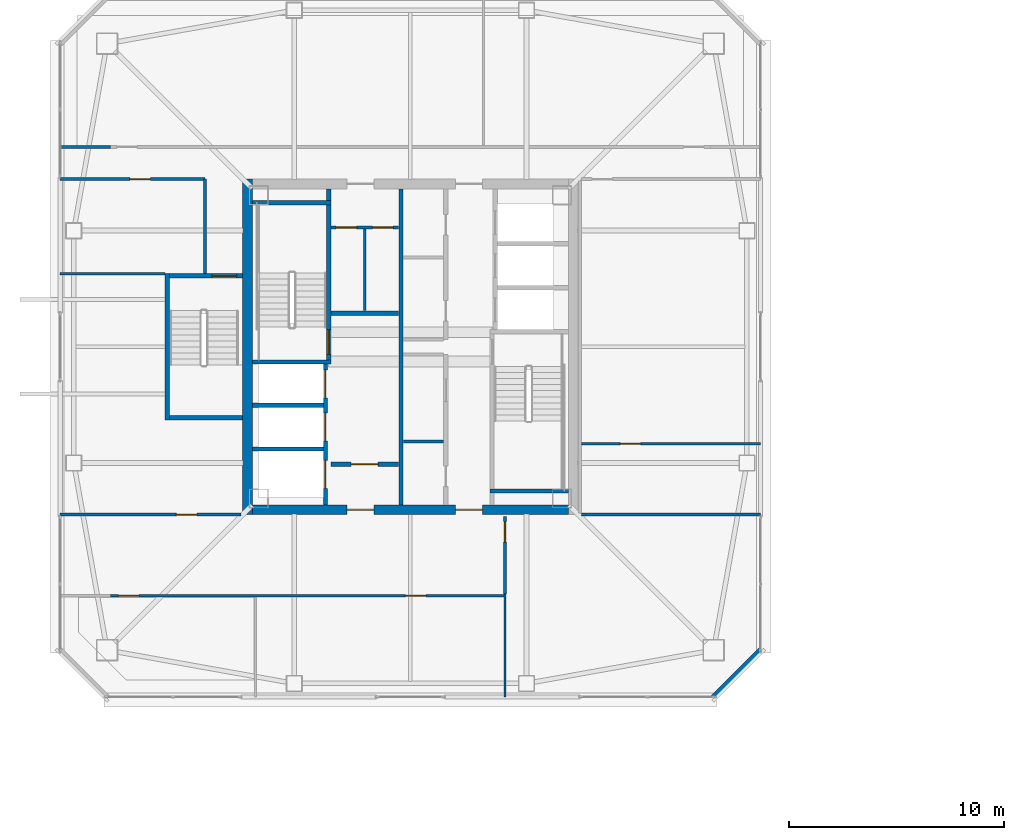
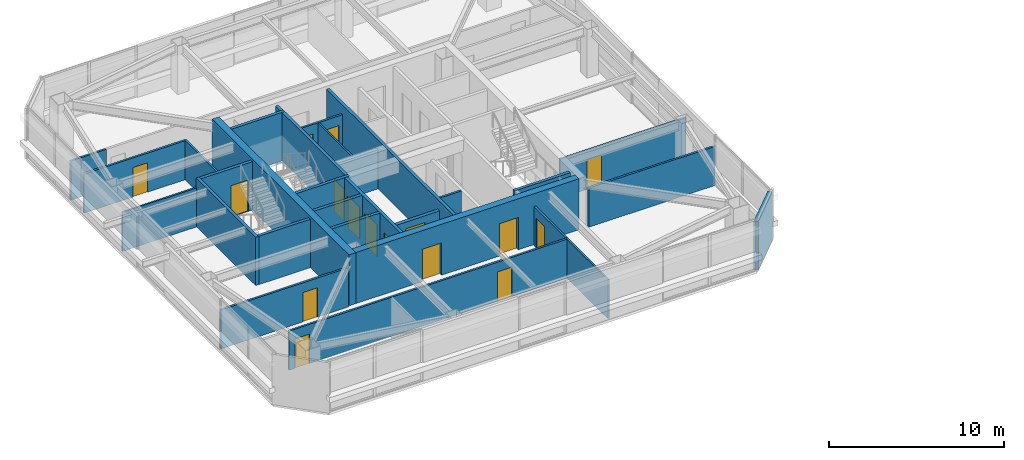
# One storey, part 34 of 44: 29 walls, 16 doors, 16 openings.
"""IFC4 building model written with IfcOpenShell, lengths in metres."""

from ifc_helpers import new_model, si_unit, direction, frame, frame_2d, origin, place, context, subcontext, project, spatial, rectangle, extrude, material, layer, layer_set, type_object, element, fill, save


model = new_model("IFC4")

# Units and contexts
model_context = context("Model", 3, precision=1e-05, world=origin(), true_north=direction((0.0, 1.0)))
body_context = subcontext(model_context, "Body", "Model", "MODEL_VIEW")
ifc_project = project(units=[si_unit("LENGTHUNIT", "METRE"), si_unit("AREAUNIT", "SQUARE_METRE"), si_unit("VOLUMEUNIT", "CUBIC_METRE"), si_unit("PLANEANGLEUNIT", "RADIAN"), si_unit("MASSUNIT", "GRAM", prefix="KILO")], contexts=[model_context])

# Site, building, storey
site_placement = place(None, origin())
site = spatial("IfcSite", under=ifc_project, at=site_placement, CompositionType="ELEMENT")
building_placement = place(site_placement, origin())
building = spatial("IfcBuilding", under=site, at=building_placement, Name="Tashvorn Skyway Center", CompositionType="ELEMENT")
storey_placement = place(building_placement, frame((0.0, 0.0, 211.300048828125)))
storey = spatial("IfcBuildingStorey", under=building, at=storey_placement, Name="L57", CompositionType="ELEMENT", Elevation=211.300048828125)

# Wall
ifc_material_1 = material(Name="Concrete C50/60", Category="concrete")
ifc_layer_1 = layer(ifc_material_1, 0.449951171875)
ifc_layer_set_1 = layer_set([ifc_layer_1], Name="Concrete C50/60")
wall_type_1 = type_object("IfcWallType", Name="WALL-CORE-450", PredefinedType="SHEAR", material=ifc_layer_set_1)
wall_1_placement = place(storey_placement, frame((34.425048828125, 24.199951171875, 0.0), z_axis=(0.0, 0.0, 1.0), x_axis=(0.0, 1.0, 0.0)))
element("IfcWall", 1, at=wall_1_placement, inside=storey, type_object=wall_type_1, Name="Tower 1 L57 West Core Shear Wall", PredefinedType="SHEAR", context=body_context, shape_type="SweptSolid", body=[
    extrude(rectangle(XDim=15.60009765625, YDim=0.449951171875, at=frame_2d((7.800048828125, 0.0))), origin(), (0.0, 0.0, 1.0), 3.550048828125),
])

# Wall, openings, doors
wall_2_placement = place(storey_placement, frame((49.35009765625, 24.425048828125, 0.0), z_axis=(0.0, 0.0, 1.0), x_axis=(-1.0, 0.0, 0.0)))
wall_2 = element("IfcWall", 2, at=wall_2_placement, inside=storey, type_object=wall_type_1, Name="Tower 1 L57 South Core Shear Wall", PredefinedType="SHEAR", context=body_context, shape_type="SweptSolid", body=[
    extrude(rectangle(XDim=14.7001953125, YDim=0.449951171875, at=frame_2d((7.35009765625, 0.0))), origin(), (0.0, 0.0, 1.0), 3.550048828125),
])
opening_1_placement = place(wall_2_placement, frame((9.050048828125, 0.0, 0.0)))
opening_1 = element("IfcOpeningElement", 3, at=opening_1_placement, cuts=wall_2, Name="Opening D-FFL-1250", PredefinedType="OPENING", context=body_context, shape_type="SweptSolid", body=[
    extrude(rectangle(XDim=1.25, YDim=2.25, at=frame_2d((0.625, 1.125))), frame((0.0, 0.23486328125, 0.0), z_axis=(0.0, -1.0, 0.0), x_axis=(1.0, 0.0, 0.0)), (0.0, 0.0, 1.0), 0.469970703125),
])
opening_2_placement = place(wall_2_placement, frame((4.0, 0.0, 0.0)))
opening_2 = element("IfcOpeningElement", 4, at=opening_2_placement, cuts=wall_2, Name="Opening D-FFL-1250", PredefinedType="OPENING", context=body_context, shape_type="SweptSolid", body=[
    extrude(rectangle(XDim=1.25, YDim=2.25, at=frame_2d((0.625, 1.125))), frame((0.0, 0.23486328125, 0.0), z_axis=(0.0, -1.0, 0.0), x_axis=(1.0, 0.0, 0.0)), (0.0, 0.0, 1.0), 0.469970703125),
])
ifc_material_2 = material(Name="Hollow galvanized steel fire door assembly", Category="steel")
door_type_1 = type_object("IfcDoorType", Name="DOOR-FFL-1250", OperationType="NOTDEFINED", PredefinedType="DOOR", material=ifc_material_2)
door_1_placement = place(opening_1_placement, origin())
door_1 = element("IfcDoor", 5, at=door_1_placement, inside=storey, type_object=door_type_1, Name="Tower 1 L57 Core South Firefighting Exit Door", OperationType="SINGLE_SWING_LEFT", OverallHeight=2.25, OverallWidth=1.25, PredefinedType="DOOR", context=body_context, shape_type="SweptSolid", body=[
    extrude(rectangle(XDim=1.25, YDim=2.25, at=frame_2d((0.625, 1.125))), frame((0.0, 0.02490234375, 0.0), z_axis=(0.0, -1.0, 0.0), x_axis=(1.0, 0.0, 0.0)), (0.0, 0.0, 1.0), 0.050048828125),
])
fill(opening_1, door_1)
door_2_placement = place(opening_2_placement, origin())
door_2 = element("IfcDoor", 6, at=door_2_placement, inside=storey, type_object=door_type_1, Name="Tower 1 L57 Core South Lift Lobby Door", OperationType="SINGLE_SWING_RIGHT", OverallHeight=2.25, OverallWidth=1.25, PredefinedType="DOOR", context=body_context, shape_type="SweptSolid", body=[
    extrude(rectangle(XDim=1.25, YDim=2.25, at=frame_2d((0.625, 1.125))), frame((0.0, 0.02490234375, 0.0), z_axis=(0.0, -1.0, 0.0), x_axis=(1.0, 0.0, 0.0)), (0.0, 0.0, 1.0), 0.050048828125),
])
fill(opening_2, door_2)

# Walls
ifc_material_3 = material(Name="Precast concrete C40/50", Category="concrete")
ifc_layer_2 = layer(ifc_material_3, 0.280029296875)
ifc_layer_set_2 = layer_set([ifc_layer_2], Name="Precast concrete C40/50")
wall_type_2 = type_object("IfcWallType", Name="WALL-EXT-280", PredefinedType="SOLIDWALL", material=ifc_layer_set_2)
wall_3_placement = place(storey_placement, frame((58.300048828125, 17.89990234375, 0.0), z_axis=(0.0, 0.0, 1.0), x_axis=(-0.707106781187, -0.707106781187, 0.0)))
element("IfcWall", 7, at=wall_3_placement, inside=storey, type_object=wall_type_2, Name="Tower 1 L57 SE Precast Chamfer Wall", PredefinedType="SOLIDWALL", context=body_context, shape_type="SweptSolid", body=[
    extrude(rectangle(XDim=3.111083984375, YDim=0.280029296875, at=frame_2d((1.5556640625, 0.0))), origin(), (0.0, 0.0, 1.0), 3.369873046875),
])
ifc_material_4 = material(Name="Concrete C40/50", Category="concrete")
ifc_layer_3 = layer(ifc_material_4, 0.219970703125)
ifc_layer_set_3 = layer_set([ifc_layer_3], Name="Concrete C40/50")
wall_type_3 = type_object("IfcWallType", Name="WALL-FFL-220", PredefinedType="SOLIDWALL", material=ifc_layer_set_3)
wall_4_placement = place(storey_placement, frame((38.300048828125, 33.56005859375, 0.0), z_axis=(0.0, 0.0, 1.0), x_axis=(1.0, 0.0, 0.0)))
element("IfcWall", 8, at=wall_4_placement, inside=storey, type_object=wall_type_3, Name="Tower 1 L57 Firefighting Lobby North Wall", PredefinedType="SOLIDWALL", context=body_context, shape_type="SweptSolid", body=[
    extrude(rectangle(XDim=3.14990234375, YDim=0.219970703125, at=frame_2d((1.574951171875, 0.0))), origin(), (0.0, 0.0, 1.0), 2.722900390625),
])

# Wall, opening, door
wall_5_placement = place(storey_placement, frame((38.300048828125, 26.5400390625, 0.0), z_axis=(0.0, 0.0, 1.0), x_axis=(1.0, 0.0, 0.0)))
wall_5 = element("IfcWall", 9, at=wall_5_placement, inside=storey, type_object=wall_type_3, Name="Tower 1 L57 Firefighting Lobby South Wall", PredefinedType="SOLIDWALL", context=body_context, shape_type="SweptSolid", body=[
    extrude(rectangle(XDim=3.14990234375, YDim=0.219970703125, at=frame_2d((1.574951171875, 0.0))), origin(), (0.0, 0.0, 1.0), 2.722900390625),
])
opening_3_placement = place(wall_5_placement, frame((0.949951171875, 0.0, 0.0)))
opening_3 = element("IfcOpeningElement", 10, at=opening_3_placement, cuts=wall_5, Name="Opening D-FFL-1250", PredefinedType="OPENING", context=body_context, shape_type="SweptSolid", body=[
    extrude(rectangle(XDim=1.25, YDim=2.25, at=frame_2d((0.625, 1.125))), frame((0.0, 0.119873046875, 0.0), z_axis=(0.0, -1.0, 0.0), x_axis=(1.0, 0.0, 0.0)), (0.0, 0.0, 1.0), 0.239990234375),
])
door_3_placement = place(opening_3_placement, origin())
door_3 = element("IfcDoor", 11, at=door_3_placement, inside=storey, type_object=door_type_1, Name="Tower 1 L57 Firefighting Lobby Egress Door", OperationType="SINGLE_SWING_LEFT", OverallHeight=2.25, OverallWidth=1.25, PredefinedType="DOOR", context=body_context, shape_type="SweptSolid", body=[
    extrude(rectangle(XDim=1.25, YDim=2.25, at=frame_2d((0.625, 1.125))), frame((0.0, 0.02490234375, 0.0), z_axis=(0.0, -1.0, 0.0), x_axis=(1.0, 0.0, 0.0)), (0.0, 0.0, 1.0), 0.050048828125),
])
fill(opening_3, door_3)

# Wall
ifc_material_5 = material(Name="Gypsum board on cold-formed steel stud framing", Category="steel")
ifc_layer_4 = layer(ifc_material_5, 0.110107421875)
ifc_layer_set_4 = layer_set([ifc_layer_4], Name="Gypsum board on cold-formed steel stud framing")
wall_type_4 = type_object("IfcWallType", Name="WALL-PART-110", PredefinedType="PARTITIONING", material=ifc_layer_set_4)
wall_6_placement = place(storey_placement, frame((46.39990234375, 15.719970703125, 0.0), z_axis=(0.0, 0.0, 1.0), x_axis=(0.0, 1.0, 0.0)))
element("IfcWall", 12, at=wall_6_placement, inside=storey, type_object=wall_type_4, Name="Tower 1 L57 South-East Suite Wall", PredefinedType="PARTITIONING", context=body_context, shape_type="SweptSolid", body=[
    extrude(rectangle(XDim=4.7900390625, YDim=0.110107421875, at=frame_2d((2.39501953125, 0.0))), origin(), (0.0, 0.0, 1.0), 2.722900390625),
])

# Wall, opening, door
wall_7_placement = place(storey_placement, frame((49.9599609375, 27.5, 0.0), z_axis=(0.0, 0.0, 1.0), x_axis=(1.0, 0.0, 0.0)))
wall_7 = element("IfcWall", 13, at=wall_7_placement, inside=storey, type_object=wall_type_4, Name="Tower 1 L57 East Mid Partition", PredefinedType="PARTITIONING", context=body_context, shape_type="SweptSolid", body=[
    extrude(rectangle(XDim=8.320068359375, YDim=0.110107421875, at=frame_2d((4.16015625, 0.0))), origin(), (0.0, 0.0, 1.0), 2.722900390625),
])
opening_4_placement = place(wall_7_placement, frame((1.800048828125, 0.0, 0.0)))
opening_4 = element("IfcOpeningElement", 14, at=opening_4_placement, cuts=wall_7, Name="Opening D-INT-950", PredefinedType="OPENING", context=body_context, shape_type="SweptSolid", body=[
    extrude(rectangle(XDim=0.949951171875, YDim=2.050048828125, at=frame_2d((0.47509765625, 1.02490234375))), frame((0.0, 0.06494140625, 0.0), z_axis=(0.0, -1.0, 0.0), x_axis=(1.0, 0.0, 0.0)), (0.0, 0.0, 1.0), 0.130126953125),
])
ifc_material_6 = material(Name="Solid-core architectural oak veneer door")
door_type_2 = type_object("IfcDoorType", Name="DOOR-INT-950", OperationType="NOTDEFINED", PredefinedType="DOOR", material=ifc_material_6)
door_4_placement = place(opening_4_placement, origin())
door_4 = element("IfcDoor", 15, at=door_4_placement, inside=storey, type_object=door_type_2, Name="Tower 1 L57 Corporate Office Door", OperationType="SINGLE_SWING_RIGHT", OverallHeight=2.050048828125, OverallWidth=0.949951171875, PredefinedType="DOOR", context=body_context, shape_type="SweptSolid", body=[
    extrude(rectangle(XDim=0.949951171875, YDim=2.050048828125, at=frame_2d((0.47509765625, 1.02490234375))), frame((0.0, 0.02490234375, 0.0), z_axis=(0.0, -1.0, 0.0), x_axis=(1.0, 0.0, 0.0)), (0.0, 0.0, 1.0), 0.050048828125),
])
fill(opening_4, door_4)

# Walls
wall_8_placement = place(storey_placement, frame((30.60009765625, 35.39990234375, 0.0), z_axis=(0.0, 0.0, 1.0), x_axis=(-1.0, 0.0, 0.0)))
element("IfcWall", 16, at=wall_8_placement, inside=storey, type_object=wall_type_4, Name="Tower 1 L57 West Suite Partition 1", PredefinedType="PARTITIONING", context=body_context, shape_type="SweptSolid", body=[
    extrude(rectangle(XDim=4.880126953125, YDim=0.110107421875, at=frame_2d((2.43994140625, 0.0))), origin(), (0.0, 0.0, 1.0), 2.722900390625),
])
ifc_layer_5 = layer(ifc_material_5, 0.135009765625)
ifc_layer_set_5 = layer_set([ifc_layer_5], Name="Gypsum board on cold-formed steel stud framing")
wall_type_5 = type_object("IfcWallType", Name="WALL-PART-135", PredefinedType="PARTITIONING", material=ifc_layer_set_5)
wall_9_placement = place(storey_placement, frame((32.449951171875, 35.39990234375, 0.0), z_axis=(0.0, 0.0, 1.0), x_axis=(0.0, 1.0, 0.0)))
element("IfcWall", 17, at=wall_9_placement, inside=storey, type_object=wall_type_5, Name="Tower 1 L57 Stair 3 Access Corridor Wall", PredefinedType="PARTITIONING", context=body_context, shape_type="SweptSolid", body=[
    extrude(rectangle(XDim=4.400146484375, YDim=0.135009765625, at=frame_2d((2.2001953125, 0.0))), origin(), (0.0, 0.0, 1.0), 2.722900390625),
])
wall_10_placement = place(storey_placement, frame((25.719970703125, 41.300048828125, 0.0), z_axis=(0.0, 0.0, 1.0), x_axis=(1.0, 0.0, 0.0)))
element("IfcWall", 18, at=wall_10_placement, inside=storey, type_object=wall_type_5, Name="Tower 1 L57 North-West Suite South Wall", PredefinedType="PARTITIONING", context=body_context, shape_type="SweptSolid", body=[
    extrude(rectangle(XDim=2.330078125, YDim=0.135009765625, at=frame_2d((1.1650390625, 0.0))), origin(), (0.0, 0.0, 1.0), 2.722900390625),
])

# Wall, openings, doors
wall_11_placement = place(storey_placement, frame((46.39990234375, 20.429931640625, 0.0), z_axis=(0.0, 0.0, 1.0), x_axis=(-1.0, 0.0, 0.0)))
wall_11 = element("IfcWall", 19, at=wall_11_placement, inside=storey, type_object=wall_type_5, Name="Tower 1 L57 South Suite Wall", PredefinedType="PARTITIONING", context=body_context, shape_type="SweptSolid", body=[
    extrude(rectangle(XDim=18.349853515625, YDim=0.135009765625, at=frame_2d((9.1748046875, 0.0))), origin(), (0.0, 0.0, 1.0), 2.722900390625),
])
opening_5_placement = place(wall_11_placement, frame((17.02001953125, 0.0, 0.0)))
opening_5 = element("IfcOpeningElement", 20, at=opening_5_placement, cuts=wall_11, Name="Opening D-INT-950", PredefinedType="OPENING", context=body_context, shape_type="SweptSolid", body=[
    extrude(rectangle(XDim=0.949951171875, YDim=2.050048828125, at=frame_2d((0.47509765625, 1.02490234375))), frame((0.0, 0.077392578125, 0.0), z_axis=(0.0, -1.0, 0.0), x_axis=(1.0, 0.0, 0.0)), (0.0, 0.0, 1.0), 0.155029296875),
])
opening_6_placement = place(wall_11_placement, frame((3.6767578125, 0.0, 0.0)))
opening_6 = element("IfcOpeningElement", 21, at=opening_6_placement, cuts=wall_11, Name="Opening D-INT-950", PredefinedType="OPENING", context=body_context, shape_type="SweptSolid", body=[
    extrude(rectangle(XDim=0.949951171875, YDim=2.050048828125, at=frame_2d((0.47509765625, 1.02490234375))), frame((0.0, 0.077392578125, 0.0), z_axis=(0.0, -1.0, 0.0), x_axis=(1.0, 0.0, 0.0)), (0.0, 0.0, 1.0), 0.155029296875),
])
door_5_placement = place(opening_5_placement, origin())
door_5 = element("IfcDoor", 22, at=door_5_placement, inside=storey, type_object=door_type_2, Name="Tower 1 L57 Wellness Clinic Door", OperationType="SINGLE_SWING_RIGHT", OverallHeight=2.050048828125, OverallWidth=0.949951171875, PredefinedType="DOOR", context=body_context, shape_type="SweptSolid", body=[
    extrude(rectangle(XDim=0.949951171875, YDim=2.050048828125, at=frame_2d((0.47509765625, 1.02490234375))), frame((0.0, 0.02490234375, 0.0), z_axis=(0.0, -1.0, 0.0), x_axis=(1.0, 0.0, 0.0)), (0.0, 0.0, 1.0), 0.050048828125),
])
fill(opening_5, door_5)
door_6_placement = place(opening_6_placement, origin())
door_6 = element("IfcDoor", 23, at=door_6_placement, inside=storey, type_object=door_type_2, Name="Tower 1 L57 Collaborative Studio Door", OperationType="SINGLE_SWING_LEFT", OverallHeight=2.050048828125, OverallWidth=0.949951171875, PredefinedType="DOOR", context=body_context, shape_type="SweptSolid", body=[
    extrude(rectangle(XDim=0.949951171875, YDim=2.050048828125, at=frame_2d((0.47509765625, 1.02490234375))), frame((0.0, 0.02490234375, 0.0), z_axis=(0.0, -1.0, 0.0), x_axis=(1.0, 0.0, 0.0)), (0.0, 0.0, 1.0), 0.050048828125),
])
fill(opening_6, door_6)

# Wall, opening, door
wall_12_placement = place(storey_placement, frame((46.39990234375, 24.1201171875, 0.0), z_axis=(0.0, 0.0, 1.0), x_axis=(0.0, -1.0, 0.0)))
wall_12 = element("IfcWall", 24, at=wall_12_placement, inside=storey, type_object=wall_type_5, Name="Tower 1 L57 South Gallery End Wall", PredefinedType="PARTITIONING", context=body_context, shape_type="SweptSolid", body=[
    extrude(rectangle(XDim=3.610107421875, YDim=0.135009765625, at=frame_2d((1.80517578125, 0.0))), origin(), (0.0, 0.0, 1.0), 2.722900390625),
])
opening_7_placement = place(wall_12_placement, frame((0.25, 0.0, 0.0)))
opening_7 = element("IfcOpeningElement", 25, at=opening_7_placement, cuts=wall_12, Name="Opening D-INT-950", PredefinedType="OPENING", context=body_context, shape_type="SweptSolid", body=[
    extrude(rectangle(XDim=0.949951171875, YDim=2.050048828125, at=frame_2d((0.47509765625, 1.02490234375))), frame((0.0, 0.077392578125, 0.0), z_axis=(0.0, -1.0, 0.0), x_axis=(1.0, 0.0, 0.0)), (0.0, 0.0, 1.0), 0.155029296875),
])
door_7_placement = place(opening_7_placement, origin())
door_7 = element("IfcDoor", 26, at=door_7_placement, inside=storey, type_object=door_type_2, Name="Tower 1 L57 Operations Control Room Door", OperationType="SINGLE_SWING_RIGHT", OverallHeight=2.050048828125, OverallWidth=0.949951171875, PredefinedType="DOOR", context=body_context, shape_type="SweptSolid", body=[
    extrude(rectangle(XDim=0.949951171875, YDim=2.050048828125, at=frame_2d((0.47509765625, 1.02490234375))), frame((0.0, 0.02490234375, 0.0), z_axis=(0.0, -1.0, 0.0), x_axis=(1.0, 0.0, 0.0)), (0.0, 0.0, 1.0), 0.050048828125),
])
fill(opening_7, door_7)

# Wall
wall_13_placement = place(storey_placement, frame((49.9599609375, 24.199951171875, 0.0), z_axis=(0.0, 0.0, 1.0), x_axis=(1.0, 0.0, 0.0)))
element("IfcWall", 27, at=wall_13_placement, inside=storey, type_object=wall_type_5, Name="Tower 1 L57 East Suite South Wall", PredefinedType="PARTITIONING", context=body_context, shape_type="SweptSolid", body=[
    extrude(rectangle(XDim=8.320068359375, YDim=0.135009765625, at=frame_2d((4.16015625, 0.0))), origin(), (0.0, 0.0, 1.0), 2.722900390625),
])

# Wall, opening, door
wall_14_placement = place(storey_placement, frame((32.449951171875, 39.800048828125, 0.0), z_axis=(0.0, 0.0, 1.0), x_axis=(-1.0, 0.0, 0.0)))
wall_14 = element("IfcWall", 28, at=wall_14_placement, inside=storey, type_object=wall_type_5, Name="Tower 1 L57 West Suite North Wall", PredefinedType="PARTITIONING", context=body_context, shape_type="SweptSolid", body=[
    extrude(rectangle(XDim=6.72998046875, YDim=0.135009765625, at=frame_2d((3.364990234375, 0.0))), origin(), (0.0, 0.0, 1.0), 2.722900390625),
])
opening_8_placement = place(wall_14_placement, frame((2.5400390625, 0.0, 0.0)))
opening_8 = element("IfcOpeningElement", 29, at=opening_8_placement, cuts=wall_14, Name="Opening D-INT-950", PredefinedType="OPENING", context=body_context, shape_type="SweptSolid", body=[
    extrude(rectangle(XDim=0.949951171875, YDim=2.050048828125, at=frame_2d((0.47509765625, 1.02490234375))), frame((0.0, 0.077392578125, 0.0), z_axis=(0.0, -1.0, 0.0), x_axis=(1.0, 0.0, 0.0)), (0.0, 0.0, 1.0), 0.155029296875),
])
door_8_placement = place(opening_8_placement, origin())
door_8 = element("IfcDoor", 30, at=door_8_placement, inside=storey, type_object=door_type_2, Name="Tower 1 L57 Corporate Office Door", OperationType="SINGLE_SWING_LEFT", OverallHeight=2.050048828125, OverallWidth=0.949951171875, PredefinedType="DOOR", context=body_context, shape_type="SweptSolid", body=[
    extrude(rectangle(XDim=0.949951171875, YDim=2.050048828125, at=frame_2d((0.47509765625, 1.02490234375))), frame((0.0, 0.02490234375, 0.0), z_axis=(0.0, -1.0, 0.0), x_axis=(1.0, 0.0, 0.0)), (0.0, 0.0, 1.0), 0.050048828125),
])
fill(opening_8, door_8)

wall_15_placement = place(storey_placement, frame((25.719970703125, 24.199951171875, 0.0), z_axis=(0.0, 0.0, 1.0), x_axis=(1.0, 0.0, 0.0)))
wall_15 = element("IfcWall", 31, at=wall_15_placement, inside=storey, type_object=wall_type_5, Name="Tower 1 L57 West Suite South Wall", PredefinedType="PARTITIONING", context=body_context, shape_type="SweptSolid", body=[
    extrude(rectangle(XDim=8.400146484375, YDim=0.135009765625, at=frame_2d((4.2001953125, 0.0))), origin(), (0.0, 0.0, 1.0), 2.722900390625),
])
opening_9_placement = place(wall_15_placement, frame((5.405029296875, 0.0, 0.0)))
opening_9 = element("IfcOpeningElement", 32, at=opening_9_placement, cuts=wall_15, Name="Opening D-INT-950", PredefinedType="OPENING", context=body_context, shape_type="SweptSolid", body=[
    extrude(rectangle(XDim=0.949951171875, YDim=2.050048828125, at=frame_2d((0.47509765625, 1.02490234375))), frame((0.0, 0.077392578125, 0.0), z_axis=(0.0, -1.0, 0.0), x_axis=(1.0, 0.0, 0.0)), (0.0, 0.0, 1.0), 0.155029296875),
])
door_9_placement = place(opening_9_placement, origin())
door_9 = element("IfcDoor", 33, at=door_9_placement, inside=storey, type_object=door_type_2, Name="Tower 1 L57 Public Restroom Door", OperationType="SINGLE_SWING_RIGHT", OverallHeight=2.050048828125, OverallWidth=0.949951171875, PredefinedType="DOOR", context=body_context, shape_type="SweptSolid", body=[
    extrude(rectangle(XDim=0.949951171875, YDim=2.050048828125, at=frame_2d((0.47509765625, 1.02490234375))), frame((0.0, 0.02490234375, 0.0), z_axis=(0.0, -1.0, 0.0), x_axis=(1.0, 0.0, 0.0)), (0.0, 0.0, 1.0), 0.050048828125),
])
fill(opening_9, door_9)

# Wall
ifc_layer_6 = layer(ifc_material_5, 0.110107421875)
ifc_layer_set_6 = layer_set([ifc_layer_6], Name="Gypsum board on cold-formed steel stud framing")
wall_type_6 = type_object("IfcWallType", Name="WALL-RATED-110", PredefinedType="PARTITIONING", material=ifc_layer_set_6)
wall_16_placement = place(storey_placement, frame((39.8798828125, 33.679931640625, 0.0), z_axis=(0.0, 0.0, 1.0), x_axis=(0.0, 1.0, 0.0)))
element("IfcWall", 34, at=wall_16_placement, inside=storey, type_object=wall_type_6, Name="Tower 1 L57 Core Split Partition", PredefinedType="PARTITIONING", context=body_context, shape_type="SweptSolid", body=[
    extrude(rectangle(XDim=3.800048828125, YDim=0.110107421875, at=frame_2d((1.89990234375, 0.0))), origin(), (0.0, 0.0, 1.0), 2.722900390625),
])

# Wall, openings, doors
ifc_layer_7 = layer(ifc_material_5, 0.135009765625)
ifc_layer_set_7 = layer_set([ifc_layer_7], Name="Gypsum board on cold-formed steel stud framing")
wall_type_7 = type_object("IfcWallType", Name="WALL-RATED-135", PredefinedType="PARTITIONING", material=ifc_layer_set_7)
wall_17_placement = place(storey_placement, frame((38.300048828125, 37.550048828125, 0.0), z_axis=(0.0, 0.0, 1.0), x_axis=(1.0, 0.0, 0.0)))
wall_17 = element("IfcWall", 35, at=wall_17_placement, inside=storey, type_object=wall_type_7, Name="Tower 1 L57 Core Service Lobby Wall", PredefinedType="PARTITIONING", context=body_context, shape_type="SweptSolid", body=[
    extrude(rectangle(XDim=3.14990234375, YDim=0.135009765625, at=frame_2d((1.574951171875, 0.0))), origin(), (0.0, 0.0, 1.0), 2.722900390625),
])
opening_10_placement = place(wall_17_placement, frame((0.25, 0.0, 0.0)))
opening_10 = element("IfcOpeningElement", 36, at=opening_10_placement, cuts=wall_17, Name="Opening D-RT-950", PredefinedType="OPENING", context=body_context, shape_type="SweptSolid", body=[
    extrude(rectangle(XDim=0.949951171875, YDim=2.050048828125, at=frame_2d((0.47509765625, 1.02490234375))), frame((0.0, 0.077392578125, 0.0), z_axis=(0.0, -1.0, 0.0), x_axis=(1.0, 0.0, 0.0)), (0.0, 0.0, 1.0), 0.155029296875),
])
opening_11_placement = place(wall_17_placement, frame((1.949951171875, 0.0, 0.0)))
opening_11 = element("IfcOpeningElement", 37, at=opening_11_placement, cuts=wall_17, Name="Opening D-RT-950", PredefinedType="OPENING", context=body_context, shape_type="SweptSolid", body=[
    extrude(rectangle(XDim=0.949951171875, YDim=2.050048828125, at=frame_2d((0.47509765625, 1.02490234375))), frame((0.0, 0.077392578125, 0.0), z_axis=(0.0, -1.0, 0.0), x_axis=(1.0, 0.0, 0.0)), (0.0, 0.0, 1.0), 0.155029296875),
])
door_type_3 = type_object("IfcDoorType", Name="DOOR-RATED-950", OperationType="NOTDEFINED", PredefinedType="DOOR", material=ifc_material_2)
door_10_placement = place(opening_10_placement, origin())
door_10 = element("IfcDoor", 38, at=door_10_placement, inside=storey, type_object=door_type_3, Name="Tower 1 L57 Core Accessible WC Door", OperationType="SINGLE_SWING_LEFT", OverallHeight=2.050048828125, OverallWidth=0.949951171875, PredefinedType="DOOR", context=body_context, shape_type="SweptSolid", body=[
    extrude(rectangle(XDim=0.949951171875, YDim=2.050048828125, at=frame_2d((0.47509765625, 1.02490234375))), frame((0.0, 0.02490234375, 0.0), z_axis=(0.0, -1.0, 0.0), x_axis=(1.0, 0.0, 0.0)), (0.0, 0.0, 1.0), 0.050048828125),
])
fill(opening_10, door_10)
door_11_placement = place(opening_11_placement, origin())
door_11 = element("IfcDoor", 39, at=door_11_placement, inside=storey, type_object=door_type_3, Name="Tower 1 L57 Core Cleaner Store Door", OperationType="SINGLE_SWING_RIGHT", OverallHeight=2.050048828125, OverallWidth=0.949951171875, PredefinedType="DOOR", context=body_context, shape_type="SweptSolid", body=[
    extrude(rectangle(XDim=0.949951171875, YDim=2.050048828125, at=frame_2d((0.47509765625, 1.02490234375))), frame((0.0, 0.02490234375, 0.0), z_axis=(0.0, -1.0, 0.0), x_axis=(1.0, 0.0, 0.0)), (0.0, 0.0, 1.0), 0.050048828125),
])
fill(opening_11, door_11)

# Walls
wall_18_placement = place(storey_placement, frame((41.669921875, 27.60009765625, 0.0), z_axis=(0.0, 0.0, 1.0), x_axis=(1.0, 0.0, 0.0)))
element("IfcWall", 40, at=wall_18_placement, inside=storey, type_object=wall_type_7, Name="Tower 1 L57 Freed Core Partition", PredefinedType="PARTITIONING", context=body_context, shape_type="SweptSolid", body=[
    extrude(rectangle(XDim=1.880126953125, YDim=0.135009765625, at=frame_2d((0.93994140625, 0.0))), origin(), (0.0, 0.0, 1.0), 2.722900390625),
])
ifc_layer_8 = layer(ifc_material_4, 0.199951171875)
ifc_layer_set_8 = layer_set([ifc_layer_8], Name="Concrete C40/50")
wall_type_8 = type_object("IfcWallType", Name="WALL-SHAFT-200", PredefinedType="SOLIDWALL", material=ifc_layer_set_8)
for number, where, z_axis, x_axis, name in (
    (41, (34.64990234375, 27.25, 0.0), (0.0, 0.0, 1.0), (1.0, 0.0, 0.0), "Tower 1 L57 FSAE Shaft Divider"),
    (42, (34.64990234375, 29.280029296875, 0.0), (0.0, 0.0, 1.0), (1.0, 0.0, 0.0), "Tower 1 L57 FSAE Shaft Divider"),
):
    element("IfcWall", number, at=place(storey_placement, frame(where, z_axis=z_axis, x_axis=x_axis)), inside=storey, type_object=wall_type_8, Name=name, PredefinedType="SOLIDWALL", context=body_context, shape_type="SweptSolid", body=[
        extrude(rectangle(XDim=3.300048828125, YDim=0.199951171875, at=frame_2d((1.64990234375, 0.0))), origin(), (0.0, 0.0, 1.0), 3.369873046875),
    ])

# Wall, opening, door
ifc_layer_9 = layer(ifc_material_4, 0.199951171875)
ifc_layer_set_9 = layer_set([ifc_layer_9], Name="Concrete C40/50")
wall_type_9 = type_object("IfcWallType", Name="WALL-STSHF-200", PredefinedType="SHEAR", material=ifc_layer_set_9)
wall_19_placement = place(storey_placement, frame((38.199951171875, 31.199951171875, 0.0), z_axis=(0.0, 0.0, 1.0), x_axis=(0.0, 1.0, 0.0)))
wall_19 = element("IfcWall", 43, at=wall_19_placement, inside=storey, type_object=wall_type_9, Name="Tower 1 L57 Stair 1 Enclosure Wall", PredefinedType="SHEAR", context=body_context, shape_type="SweptSolid", body=[
    extrude(rectangle(XDim=8.150146484375, YDim=0.199951171875, at=frame_2d((4.0751953125, 0.0))), origin(), (0.0, 0.0, 1.0), 3.369873046875),
])
opening_12_placement = place(wall_19_placement, frame((0.449951171875, 0.0, 0.0)))
opening_12 = element("IfcOpeningElement", 44, at=opening_12_placement, cuts=wall_19, Name="Opening D-ST-1150", PredefinedType="OPENING", context=body_context, shape_type="SweptSolid", body=[
    extrude(rectangle(XDim=1.14990234375, YDim=2.199951171875, at=frame_2d((0.574951171875, 1.10009765625))), frame((0.0, 0.10986328125, 0.0), z_axis=(0.0, -1.0, 0.0), x_axis=(1.0, 0.0, 0.0)), (0.0, 0.0, 1.0), 0.219970703125),
])
door_type_4 = type_object("IfcDoorType", Name="DOOR-STAIR-1150", OperationType="NOTDEFINED", PredefinedType="DOOR", material=ifc_material_2)
door_12_placement = place(opening_12_placement, origin())
door_12 = element("IfcDoor", 45, at=door_12_placement, inside=storey, type_object=door_type_4, Name="Tower 1 L57 Exit Stair 1 Door", OperationType="SINGLE_SWING_RIGHT", OverallHeight=2.199951171875, OverallWidth=1.14990234375, PredefinedType="DOOR", context=body_context, shape_type="SweptSolid", body=[
    extrude(rectangle(XDim=1.14990234375, YDim=2.199951171875, at=frame_2d((0.574951171875, 1.10009765625))), frame((0.0, 0.02490234375, 0.0), z_axis=(0.0, -1.0, 0.0), x_axis=(1.0, 0.0, 0.0)), (0.0, 0.0, 1.0), 0.050048828125),
])
fill(opening_12, door_12)

# Walls
for number, where, z_axis, x_axis, name in (
    (46, (34.64990234375, 31.300048828125, 0.0), (0.0, 0.0, 1.0), (1.0, 0.0, 0.0), "Tower 1 L57 Stair 1 South Wall"),
    (47, (34.64990234375, 38.699951171875, 0.0), (0.0, 0.0, 1.0), (1.0, 0.0, 0.0), "Tower 1 L57 Stair 1 North Wall"),
    (48, (45.699951171875, 25.300048828125, 0.0), (0.0, 0.0, 1.0), (1.0, 0.0, 0.0), "Tower 1 L57 Stair 2 South Wall"),
):
    element("IfcWall", number, at=place(storey_placement, frame(where, z_axis=z_axis, x_axis=x_axis)), inside=storey, type_object=wall_type_9, Name=name, PredefinedType="SHEAR", context=body_context, shape_type="SweptSolid", body=[
        extrude(rectangle(XDim=3.650146484375, YDim=0.199951171875, at=frame_2d((1.8251953125, 0.0))), origin(), (0.0, 0.0, 1.0), 3.369873046875),
    ])
wall_20_placement = place(storey_placement, frame((41.56005859375, 24.64990234375, 0.0), z_axis=(0.0, 0.0, 1.0), x_axis=(0.0, 1.0, 0.0)))
element("IfcWall", 49, at=wall_20_placement, inside=storey, type_object=wall_type_9, Name="Tower 1 L57 Firefighting Lobby East Smoke Barrier", PredefinedType="SHEAR", context=body_context, shape_type="SweptSolid", body=[
    extrude(rectangle(XDim=14.7001953125, YDim=0.199951171875, at=frame_2d((7.35009765625, 0.0))), origin(), (0.0, 0.0, 1.0), 3.369873046875),
])

# Wall, openings, doors
wall_21_placement = place(storey_placement, frame((38.050048828125, 24.64990234375, 0.0), z_axis=(0.0, 0.0, 1.0), x_axis=(0.0, 1.0, 0.0)))
wall_21 = element("IfcWall", 50, at=wall_21_placement, inside=storey, type_object=wall_type_9, Name="Tower 1 L57 FSAE and Goods Shaft Front Wall", PredefinedType="SHEAR", context=body_context, shape_type="SweptSolid", body=[
    extrude(rectangle(XDim=6.550048828125, YDim=0.199951171875, at=frame_2d((3.27490234375, 0.0))), origin(), (0.0, 0.0, 1.0), 3.369873046875),
])
opening_13_placement = place(wall_21_placement, frame((4.97509765625, 0.0, 0.0)))
opening_13 = element("IfcOpeningElement", 51, at=opening_13_placement, cuts=wall_21, Name="Opening LD-FF-T1-1-L57", PredefinedType="OPENING", context=body_context, shape_type="SweptSolid", body=[
    extrude(rectangle(XDim=1.300048828125, YDim=2.25, at=frame_2d((0.64990234375, 1.125))), frame((0.0, 0.10986328125, 0.0), z_axis=(0.0, -1.0, 0.0), x_axis=(1.0, 0.0, 0.0)), (0.0, 0.0, 1.0), 0.219970703125),
])
opening_14_placement = place(wall_21_placement, frame((2.97509765625, 0.0, 0.0)))
opening_14 = element("IfcOpeningElement", 52, at=opening_14_placement, cuts=wall_21, Name="Opening LD-FF-T1-2-L57", PredefinedType="OPENING", context=body_context, shape_type="SweptSolid", body=[
    extrude(rectangle(XDim=1.300048828125, YDim=2.25, at=frame_2d((0.64990234375, 1.125))), frame((0.0, 0.10986328125, 0.0), z_axis=(0.0, -1.0, 0.0), x_axis=(1.0, 0.0, 0.0)), (0.0, 0.0, 1.0), 0.219970703125),
])
opening_15_placement = place(wall_21_placement, frame((0.77490234375, 0.0, 0.0)))
opening_15 = element("IfcOpeningElement", 53, at=opening_15_placement, cuts=wall_21, Name="Opening LD-GD-T1-1-L57", PredefinedType="OPENING", context=body_context, shape_type="SweptSolid", body=[
    extrude(rectangle(XDim=1.300048828125, YDim=2.25, at=frame_2d((0.64990234375, 1.125))), frame((0.0, 0.10986328125, 0.0), z_axis=(0.0, -1.0, 0.0), x_axis=(1.0, 0.0, 0.0)), (0.0, 0.0, 1.0), 0.219970703125),
])
ifc_material_7 = material(Name="Stainless steel heavy-duty landing door", Category="steel")
door_type_5 = type_object("IfcDoorType", Name="DOOR-LIFT-1300", OperationType="SLIDING_TO_LEFT", PredefinedType="DOOR", material=ifc_material_7)
door_13_placement = place(opening_13_placement, origin())
door_13 = element("IfcDoor", 54, at=door_13_placement, inside=storey, type_object=door_type_5, Name="Lift FF-T1-1 L57 Landing Door", OperationType="SLIDING_TO_LEFT", OverallHeight=2.25, OverallWidth=1.300048828125, PredefinedType="DOOR", context=body_context, shape_type="SweptSolid", body=[
    extrude(rectangle(XDim=1.300048828125, YDim=2.25, at=frame_2d((0.64990234375, 1.125))), frame((0.0, 0.02490234375, 0.0), z_axis=(0.0, -1.0, 0.0), x_axis=(1.0, 0.0, 0.0)), (0.0, 0.0, 1.0), 0.050048828125),
])
fill(opening_13, door_13)
door_14_placement = place(opening_14_placement, origin())
door_14 = element("IfcDoor", 55, at=door_14_placement, inside=storey, type_object=door_type_5, Name="Lift FF-T1-2 L57 Landing Door", OperationType="SLIDING_TO_LEFT", OverallHeight=2.25, OverallWidth=1.300048828125, PredefinedType="DOOR", context=body_context, shape_type="SweptSolid", body=[
    extrude(rectangle(XDim=1.300048828125, YDim=2.25, at=frame_2d((0.64990234375, 1.125))), frame((0.0, 0.02490234375, 0.0), z_axis=(0.0, -1.0, 0.0), x_axis=(1.0, 0.0, 0.0)), (0.0, 0.0, 1.0), 0.050048828125),
])
fill(opening_14, door_14)
door_15_placement = place(opening_15_placement, origin())
door_15 = element("IfcDoor", 56, at=door_15_placement, inside=storey, type_object=door_type_5, Name="Lift GD-T1-1 L57 Landing Door", OperationType="SLIDING_TO_LEFT", OverallHeight=2.25, OverallWidth=1.300048828125, PredefinedType="DOOR", context=body_context, shape_type="SweptSolid", body=[
    extrude(rectangle(XDim=1.300048828125, YDim=2.25, at=frame_2d((0.64990234375, 1.125))), frame((0.0, 0.02490234375, 0.0), z_axis=(0.0, -1.0, 0.0), x_axis=(1.0, 0.0, 0.0)), (0.0, 0.0, 1.0), 0.050048828125),
])
fill(opening_15, door_15)

# Wall
wall_22_placement = place(storey_placement, frame((30.699951171875, 28.60009765625, 0.0), z_axis=(0.0, 0.0, 1.0), x_axis=(0.0, 1.0, 0.0)))
element("IfcWall", 57, at=wall_22_placement, inside=storey, type_object=wall_type_9, Name="Tower 1 L57 Stair 3 Outer Wall", PredefinedType="SHEAR", context=body_context, shape_type="SweptSolid", body=[
    extrude(rectangle(XDim=6.7998046875, YDim=0.199951171875, at=frame_2d((3.39990234375, 0.0))), origin(), (0.0, 0.0, 1.0), 3.369873046875),
])

# Wall, opening, door
wall_23_placement = place(storey_placement, frame((34.199951171875, 35.300048828125, 0.0), z_axis=(0.0, 0.0, 1.0), x_axis=(-1.0, 0.0, 0.0)))
wall_23 = element("IfcWall", 58, at=wall_23_placement, inside=storey, type_object=wall_type_9, Name="Tower 1 L57 Stair 3 Enclosure Wall", PredefinedType="SHEAR", context=body_context, shape_type="SweptSolid", body=[
    extrude(rectangle(XDim=3.39990234375, YDim=0.199951171875, at=frame_2d((1.699951171875, 0.0))), origin(), (0.0, 0.0, 1.0), 3.369873046875),
])
opening_16_placement = place(wall_23_placement, frame((0.27490234375, 0.0, 0.0)))
opening_16 = element("IfcOpeningElement", 59, at=opening_16_placement, cuts=wall_23, Name="Opening D-ST-1150", PredefinedType="OPENING", context=body_context, shape_type="SweptSolid", body=[
    extrude(rectangle(XDim=1.14990234375, YDim=2.199951171875, at=frame_2d((0.574951171875, 1.10009765625))), frame((0.0, 0.10986328125, 0.0), z_axis=(0.0, -1.0, 0.0), x_axis=(1.0, 0.0, 0.0)), (0.0, 0.0, 1.0), 0.219970703125),
])
door_16_placement = place(opening_16_placement, origin())
door_16 = element("IfcDoor", 60, at=door_16_placement, inside=storey, type_object=door_type_4, Name="Tower 1 L57 Exit Stair 3 Door", OperationType="SINGLE_SWING_RIGHT", OverallHeight=2.199951171875, OverallWidth=1.14990234375, PredefinedType="DOOR", context=body_context, shape_type="SweptSolid", body=[
    extrude(rectangle(XDim=1.14990234375, YDim=2.199951171875, at=frame_2d((0.574951171875, 1.10009765625))), frame((0.0, 0.02490234375, 0.0), z_axis=(0.0, -1.0, 0.0), x_axis=(1.0, 0.0, 0.0)), (0.0, 0.0, 1.0), 0.050048828125),
])
fill(opening_16, door_16)

# Wall
wall_24_placement = place(storey_placement, frame((30.800048828125, 28.699951171875, 0.0), z_axis=(0.0, 0.0, 1.0), x_axis=(1.0, 0.0, 0.0)))
element("IfcWall", 61, at=wall_24_placement, inside=storey, type_object=wall_type_9, Name="Tower 1 L57 Stair 3 South Wall", PredefinedType="SHEAR", context=body_context, shape_type="SweptSolid", body=[
    extrude(rectangle(XDim=3.39990234375, YDim=0.199951171875, at=frame_2d((1.699951171875, 0.0))), origin(), (0.0, 0.0, 1.0), 3.369873046875),
])

save(model, "model.ifc")
